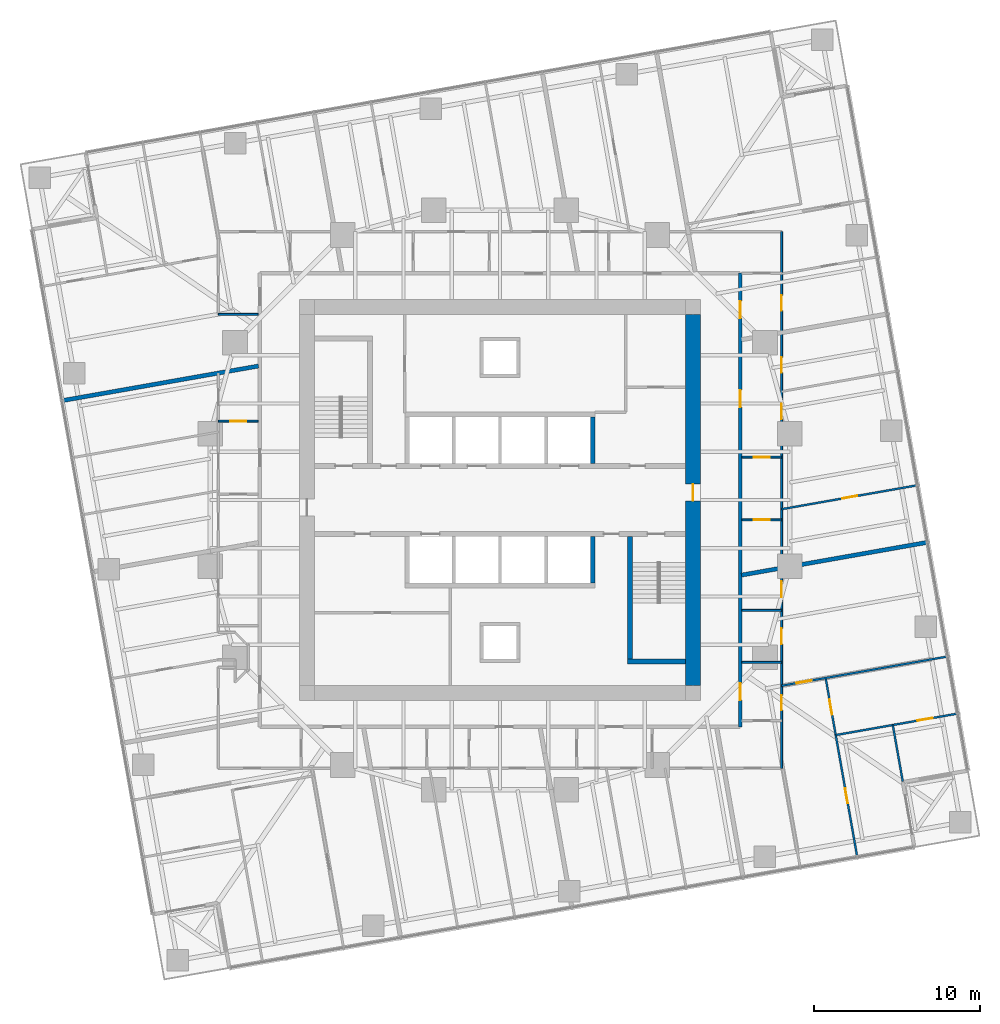
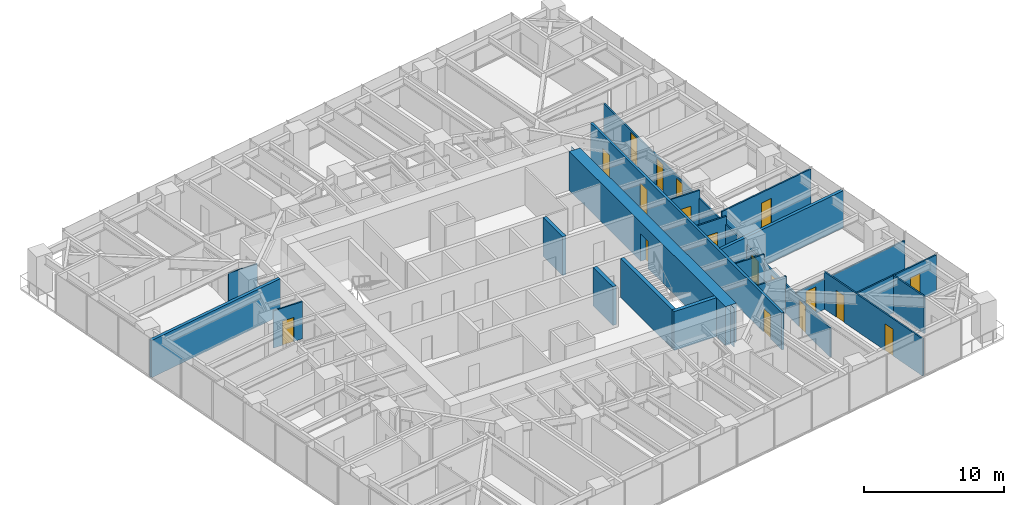
# One storey, part 11 of 14: 20 walls, 18 doors, 18 openings.
"""IFC4 building model written with IfcOpenShell, lengths in metres."""

import ifcopenshell
import ifcopenshell.guid

model = None  # the IFC model being written
_history = None  # IfcOwnerHistory: only IFC2X3 demands one
_inside = {}  # id of a spatial element -> (the spatial element, [elements in it])
_under = {}  # id of a project, library or spatial element -> (it, [spatial elements below it])
_declared = {}  # id of a project -> (the project, [libraries it declares])
_typed = {}  # id of a type object -> (the type object, [elements of that type])
_made_of = {}  # id of a material, layer set ... -> (it, [elements and type objects made of it])


def new_model(schema):
    """Start an empty IFC model of exactly this schema.

    Asked for "IFC4X3", IfcOpenShell would pick the latest addendum, in which some entities
    have other attributes; the version numbers below select the first issue.
    IFC2X3 requires an IfcOwnerHistory on every rooted entity: one is made here for all.
    """
    global model, _history
    if schema == "IFC4X3":
        model = ifcopenshell.file(schema_version=(4, 3, 0, 0))
    else:
        model = ifcopenshell.file(schema=schema)
    _inside.clear()
    _under.clear()
    _declared.clear()
    _typed.clear()
    _made_of.clear()
    _history = None
    if model.schema == "IFC2X3":
        org = make("IfcOrganization", Name="unknown")
        user = make(
            "IfcPersonAndOrganization",
            ThePerson=make("IfcPerson", FamilyName="unknown"),
            TheOrganization=org,
        )
        app = make(
            "IfcApplication",
            ApplicationDeveloper=org,
            Version="unknown",
            ApplicationFullName="unknown",
            ApplicationIdentifier="unknown",
        )
        _history = make(
            "IfcOwnerHistory",
            OwningUser=user,
            OwningApplication=app,
            ChangeAction="ADDED",
            CreationDate=0,
        )
    return model


def make(cls, **values):
    """One entity of the class cls with the attributes given. An attribute that is None is left unset."""
    return model.create_entity(
        cls, **{name: value for name, value in values.items() if value is not None}
    )


def rooted(cls, **values):
    """An entity with a GlobalId (a new one), such as an element, a storey or a relation."""
    return make(cls, GlobalId=ifcopenshell.guid.new(), OwnerHistory=_history, **values)


def si_unit(unit_type, name, prefix=None):
    """IfcSIUnit, for example si_unit("LENGTHUNIT", "METRE", prefix="MILLI")."""
    return make("IfcSIUnit", UnitType=unit_type, Prefix=prefix, Name=name)


def assignment(units):
    """IfcUnitAssignment: the units of a project."""
    return None if units is None else make("IfcUnitAssignment", Units=units)


def point(xyz):
    """IfcCartesianPoint."""
    return None if xyz is None else make("IfcCartesianPoint", Coordinates=xyz)


def direction(xyz):
    """IfcDirection."""
    return None if xyz is None else make("IfcDirection", DirectionRatios=xyz)


def frame(location, z_axis=None, x_axis=None):
    """IfcAxis2Placement3D, a coordinate frame: its origin and axes. An axis left out is left unset."""
    return make(
        "IfcAxis2Placement3D",
        Location=point(location),
        Axis=direction(z_axis),
        RefDirection=direction(x_axis),
    )


def frame_2d(location, x_axis=None):
    """IfcAxis2Placement2D, a coordinate frame in the plane: its origin and x axis."""
    return make(
        "IfcAxis2Placement2D", Location=point(location), RefDirection=direction(x_axis)
    )


def origin():
    """The frame at (0, 0, 0) with its axes left unset."""
    return frame((0.0, 0.0, 0.0))


def place(relative_to, where):
    """IfcLocalPlacement: puts the frame where relative to a parent placement (None: the world)."""
    return make(
        "IfcLocalPlacement", PlacementRelTo=relative_to, RelativePlacement=where
    )


def context(
    kind, dimensions, precision=None, world=None, true_north=None, identifier=None
):
    """IfcGeometricRepresentationContext, for example the 3D "Model" context."""
    return make(
        "IfcGeometricRepresentationContext",
        ContextIdentifier=identifier,
        ContextType=kind,
        CoordinateSpaceDimension=dimensions,
        Precision=precision,
        WorldCoordinateSystem=world,
        TrueNorth=true_north,
    )


def subcontext(parent, identifier, kind, view, scale=None):
    """IfcGeometricRepresentationSubContext, for example "Body" below "Model"."""
    return make(
        "IfcGeometricRepresentationSubContext",
        ContextIdentifier=identifier,
        ContextType=kind,
        ParentContext=parent,
        TargetScale=scale,
        TargetView=view,
    )


def project(units=None, contexts=None):
    """IfcProject with its units and contexts."""
    return rooted(
        "IfcProject",
        Name="project",
        RepresentationContexts=contexts,
        UnitsInContext=assignment(units),
    )


def spatial(cls, under=None, at=None, **own):
    """A site, building, storey or space (cls), placed at a placement, below another one or the project."""
    s = rooted(cls, ObjectPlacement=at, **own)
    if under is not None:
        _under.setdefault(under.id(), (under, []))[1].append(s)
    return s


def polyline(points):
    """IfcPolyline through the points."""
    return make("IfcPolyline", Points=[point(p) for p in points])


def profile(cls, at=None, kind="AREA", **sizes):
    """A parametric profile (cls). Its sizes go by their IFC names, for example OverallWidth=200.0."""
    return make(cls, ProfileType=kind, Position=at, **sizes)


def rectangle(**sizes):
    """IfcRectangleProfileDef."""
    return profile("IfcRectangleProfileDef", **sizes)


def outline(outer, holes=None, kind="AREA"):
    """IfcArbitraryClosedProfileDef: a profile drawn as a closed curve; with holes, ...WithVoids."""
    if holes is None:
        return make("IfcArbitraryClosedProfileDef", ProfileType=kind, OuterCurve=outer)
    return make(
        "IfcArbitraryProfileDefWithVoids",
        ProfileType=kind,
        OuterCurve=outer,
        InnerCurves=holes,
    )


def extrude(swept, where, along, depth):
    """IfcExtrudedAreaSolid: the profile swept, set in the frame where, extruded along a direction by depth."""
    return make(
        "IfcExtrudedAreaSolid",
        SweptArea=swept,
        Position=where,
        ExtrudedDirection=direction(along),
        Depth=depth,
    )


def shape(context_of_items, identifier, shape_type, items):
    """IfcShapeRepresentation: the items that make up one representation, for example the "Body"."""
    return make(
        "IfcShapeRepresentation",
        ContextOfItems=context_of_items,
        RepresentationIdentifier=identifier,
        RepresentationType=shape_type,
        Items=items,
    )


def material(Name=None, Category=None):
    """IfcMaterial."""
    return make("IfcMaterial", Name=Name, Category=Category)


def layer(
    of_material, thickness, ventilated=None, Name=None, Category=None, Priority=None
):
    """IfcMaterialLayer: one layer of a wall or slab, of a material (None: an air gap)."""
    return make(
        "IfcMaterialLayer",
        Material=of_material,
        LayerThickness=thickness,
        IsVentilated=ventilated,
        Name=Name,
        Category=Category,
        Priority=Priority,
    )


def layer_set(layers, Name=None):
    """IfcMaterialLayerSet."""
    return make("IfcMaterialLayerSet", MaterialLayers=layers, LayerSetName=Name)


def made_of(thing, what):
    """Note that an element or type object is made of a material, layer set ...; save() writes the relation."""
    if what is not None:
        _made_of.setdefault(what.id(), (what, []))[1].append(thing)
    return thing


def type_object(cls, material=None, **own):
    """A type object (cls), such as IfcWallType, which elements share."""
    return made_of(rooted(cls, **own), material)


def element(
    cls,
    number,
    at=None,
    inside=None,
    cuts=None,
    type_object=None,
    material=None,
    context=None,
    identifier="Body",
    shape_type=None,
    held_by="IfcProductDefinitionShape",
    body=None,
    shapes=None,
    **own,
):
    """One element of the class cls, such as IfcWall. Its Tag is "e" and its number.

    at: its placement. inside: the storey or other place that contains it. cuts: it is an
    opening in that element (IfcRelVoidsElement). A single representation is given by context,
    identifier, shape_type and body (its items); several are given by shapes. held_by: the class
    of the entity that holds the representations. save() writes the other relations.
    """
    e = rooted(cls, Tag="e%d" % number, ObjectPlacement=at, **own)
    if body is not None:
        shapes = [shape(context, identifier, shape_type, body)]
    if shapes is not None:
        e.Representation = make(held_by, Representations=shapes)
    if inside is not None:
        _inside.setdefault(inside.id(), (inside, []))[1].append(e)
    if cuts is not None:
        rooted(
            "IfcRelVoidsElement", RelatingBuildingElement=cuts, RelatedOpeningElement=e
        )
    if type_object is not None:
        _typed.setdefault(type_object.id(), (type_object, []))[1].append(e)
    return made_of(e, material)


def fill(opening, filler):
    """IfcRelFillsElement: the door or window that sits in an opening."""
    return rooted(
        "IfcRelFillsElement",
        RelatingOpeningElement=opening,
        RelatedBuildingElement=filler,
    )


def aggregate(whole, parts):
    """IfcRelAggregates: a whole, such as a stair, and the parts it consists of."""
    return rooted("IfcRelAggregates", RelatingObject=whole, RelatedObjects=parts)


def save(model, path):
    """Write the relations noted so far, then the file.

    IfcRelAggregates (storeys below a building ...), IfcRelContainedInSpatialStructure (elements
    in a storey), IfcRelDefinesByType, IfcRelAssociatesMaterial and IfcRelDeclares: one each for
    every whole, place, type object, material and project.
    """
    for whole, parts in _under.values():
        aggregate(whole, parts)
    for where, things in _inside.values():
        rooted(
            "IfcRelContainedInSpatialStructure",
            RelatedElements=things,
            RelatingStructure=where,
        )
    for kind, things in _typed.values():
        rooted("IfcRelDefinesByType", RelatedObjects=things, RelatingType=kind)
    for what, things in _made_of.values():
        rooted("IfcRelAssociatesMaterial", RelatedObjects=things, RelatingMaterial=what)
    for by, libraries in _declared.values():
        rooted("IfcRelDeclares", RelatingContext=by, RelatedDefinitions=libraries)
    model.write(path)


model = new_model("IFC4")

# Units and contexts
model_context = context("Model", 3, precision=1e-05, world=origin(), true_north=direction((0.0, 1.0)))
body_context = subcontext(model_context, "Body", "Model", "MODEL_VIEW")
ifc_project = project(units=[si_unit("LENGTHUNIT", "METRE"), si_unit("AREAUNIT", "SQUARE_METRE"), si_unit("VOLUMEUNIT", "CUBIC_METRE"), si_unit("PLANEANGLEUNIT", "RADIAN"), si_unit("MASSUNIT", "GRAM", prefix="KILO")], contexts=[model_context])

# Site, building, storey
site_placement = place(None, origin())
site = spatial("IfcSite", under=ifc_project, at=site_placement, CompositionType="ELEMENT")
building_placement = place(site_placement, origin())
building = spatial("IfcBuilding", under=site, at=building_placement, Name="Torsade Residences", CompositionType="ELEMENT")
storey_placement = place(building_placement, frame((0.0, 0.0, 93.0)))
storey = spatial("IfcBuildingStorey", under=building, at=storey_placement, Name="L25", CompositionType="ELEMENT", Elevation=93.0)

# Walls
ifc_material_1 = material(Name="Concrete 80 MPa", Category="concrete")
ifc_layer_1 = layer(ifc_material_1, 0.300048828125)
ifc_layer_set_1 = layer_set([ifc_layer_1], Name="Concrete 80 MPa")
wall_type_1 = type_object("IfcWallType", Name="CORE INTERNAL WALL 300", PredefinedType="SHEAR", material=ifc_layer_set_1)
for number, where, z_axis, x_axis, name in (
    (1, (45.60009765625, 27.800048828125, 0.0), (0.0, 0.0, 1.0), (0.0, -1.0, 0.0), "Core wall DS0 L25"),
    (2, (45.60009765625, 32.199951171875, 0.0), (0.0, 0.0, 1.0), (0.0, 1.0, 0.0), "Core wall DN4 L25"),
):
    element("IfcWall", number, at=place(storey_placement, frame(where, z_axis=z_axis, x_axis=x_axis)), inside=storey, type_object=wall_type_1, Name=name, PredefinedType="SHEAR", context=body_context, shape_type="SweptSolid", body=[
        extrude(rectangle(XDim=2.800048828125, YDim=0.300048828125, at=frame_2d((1.39990234375, 0.0))), origin(), (0.0, 0.0, 1.0), 3.39990234375),
    ])
wall_1_placement = place(storey_placement, frame((47.85009765625, 27.800048828125, 0.0), z_axis=(0.0, 0.0, 1.0), x_axis=(0.0, -1.0, 0.0)))
element("IfcWall", 3, at=wall_1_placement, inside=storey, type_object=wall_type_1, Name="Core wall ST2W L25", PredefinedType="SHEAR", context=body_context, shape_type="SweptSolid", body=[
    extrude(rectangle(XDim=7.699951171875, YDim=0.300048828125, at=frame_2d((3.85009765625, 0.0))), origin(), (0.0, 0.0, 1.0), 3.39990234375),
])
wall_2_placement = place(storey_placement, frame((51.199951171875, 20.25, 0.0), z_axis=(0.0, 0.0, 1.0), x_axis=(-1.0, 0.0, 0.0)))
element("IfcWall", 4, at=wall_2_placement, inside=storey, type_object=wall_type_1, Name="Core wall ST2S L25", PredefinedType="SHEAR", context=body_context, shape_type="SweptSolid", body=[
    extrude(rectangle(XDim=3.5, YDim=0.300048828125, at=frame_2d((1.75, 0.0))), origin(), (0.0, 0.0, 1.0), 3.39990234375),
])

# Wall, opening, door
ifc_material_2 = material(Name="Concrete 80 MPa", Category="concrete")
ifc_layer_2 = layer(ifc_material_2, 0.89990234375)
ifc_layer_set_2 = layer_set([ifc_layer_2], Name="Concrete 80 MPa")
wall_type_2 = type_object("IfcWallType", Name="CORE WALL 900", PredefinedType="SHEAR", material=ifc_layer_set_2)
wall_3_placement = place(storey_placement, frame((51.64990234375, 18.800048828125, 0.0), z_axis=(0.0, 0.0, 1.0), x_axis=(0.0, 1.0, 0.0)))
wall_3 = element("IfcWall", 5, at=wall_3_placement, inside=storey, type_object=wall_type_2, Name="Core wall E L25", PredefinedType="SHEAR", context=body_context, shape_type="SweptSolid", body=[
    extrude(outline(polyline([(0.0, -0.449951171875), (22.39990234375, -0.449951171875), (22.39990234375, -0.02490234375), (22.849853515625, -0.02490234375), (22.849853515625, 0.02490234375), (22.39990234375, 0.02490234375), (22.39990234375, 0.449951171875), (0.0, 0.449951171875), (0.0, 0.02490234375), (-0.449951171875, 0.02490234375), (-0.449951171875, -0.02490234375), (0.0, -0.02490234375), (0.0, -0.449951171875)])), origin(), (0.0, 0.0, 1.0), 3.39990234375),
])
opening_1_placement = place(wall_3_placement, frame((11.139892578125, 0.0, 0.0)))
opening_1 = element("IfcOpeningElement", 6, at=opening_1_placement, cuts=wall_3, Name="Opening D04", PredefinedType="OPENING", context=body_context, shape_type="SweptSolid", body=[
    extrude(rectangle(XDim=1.02001953125, YDim=2.39990234375, at=frame_2d((0.510009765625, 1.199951171875))), frame((0.0, 0.4599609375, 0.0), z_axis=(0.0, -1.0, 0.0), x_axis=(1.0, 0.0, 0.0)), (0.0, 0.0, 1.0), 0.919921875),
])
ifc_material_3 = material(Name="Steel-framed fire door", Category="steel")
door_type_1 = type_object("IfcDoorType", Name="LOBBY SMOKE DOOR 1020x2400", OperationType="NOTDEFINED", PredefinedType="DOOR", material=ifc_material_3)
door_1_placement = place(opening_1_placement, origin())
door_1 = element("IfcDoor", 7, at=door_1_placement, inside=storey, type_object=door_type_1, Name="Lift lobby door E L25", OperationType="SINGLE_SWING_LEFT", OverallHeight=2.39990234375, OverallWidth=1.02001953125, PredefinedType="DOOR", context=body_context, shape_type="SweptSolid", body=[
    extrude(rectangle(XDim=1.02001953125, YDim=2.39990234375, at=frame_2d((0.510009765625, 1.199951171875))), frame((0.0, 0.02490234375, 0.0), z_axis=(0.0, -1.0, 0.0), x_axis=(1.0, 0.0, 0.0)), (0.0, 0.0, 1.0), 0.050048828125),
])
fill(opening_1, door_1)

# Wall, openings, doors
ifc_material_4 = material(Name="Plasterboard on steel stud", Category="steel")
ifc_layer_3 = layer(ifc_material_4, 0.199951171875)
ifc_layer_set_3 = layer_set([ifc_layer_3], Name="Plasterboard on steel stud")
wall_type_3 = type_object("IfcWallType", Name="CORRIDOR WALL 200", PredefinedType="PARTITIONING", material=ifc_layer_set_3)
wall_4_placement = place(storey_placement, frame((54.5, 16.300048828125, 0.0), z_axis=(0.0, 0.0, 1.0), x_axis=(0.0, 1.0, 0.0)))
wall_4 = element("IfcWall", 8, at=wall_4_placement, inside=storey, type_object=wall_type_3, Name="Corridor wall L25", PredefinedType="PARTITIONING", context=body_context, shape_type="SweptSolid", body=[
    extrude(rectangle(XDim=27.39990234375, YDim=0.199951171875, at=frame_2d((13.699951171875, 0.0))), origin(), (0.0, 0.0, 1.0), 3.25),
])
opening_2_placement = place(wall_4_placement, frame((19.307861328125, 0.0, 0.0)))
opening_2 = element("IfcOpeningElement", 9, at=opening_2_placement, cuts=wall_4, Name="Opening D01", PredefinedType="OPENING", context=body_context, shape_type="SweptSolid", body=[
    extrude(rectangle(XDim=1.02001953125, YDim=2.340087890625, at=frame_2d((0.510009765625, 1.169921875))), frame((0.0, 0.10986328125, 0.0), z_axis=(0.0, -1.0, 0.0), x_axis=(1.0, 0.0, 0.0)), (0.0, 0.0, 1.0), 0.219970703125),
])
opening_3_placement = place(wall_4_placement, frame((24.6865234375, 0.0, 0.0)))
opening_3 = element("IfcOpeningElement", 10, at=opening_3_placement, cuts=wall_4, Name="Opening D01L", PredefinedType="OPENING", context=body_context, shape_type="SweptSolid", body=[
    extrude(rectangle(XDim=1.02001953125, YDim=2.10009765625, at=frame_2d((0.510009765625, 1.050048828125))), frame((0.0, 0.10986328125, 0.0), z_axis=(0.0, -1.0, 0.0), x_axis=(1.0, 0.0, 0.0)), (0.0, 0.0, 1.0), 0.219970703125),
])
opening_4_placement = place(wall_4_placement, frame((1.62158203125, 0.0, 0.0)))
opening_4 = element("IfcOpeningElement", 11, at=opening_4_placement, cuts=wall_4, Name="Opening D01L", PredefinedType="OPENING", context=body_context, shape_type="SweptSolid", body=[
    extrude(rectangle(XDim=1.02001953125, YDim=2.10009765625, at=frame_2d((0.510009765625, 1.050048828125))), frame((0.0, 0.10986328125, 0.0), z_axis=(0.0, -1.0, 0.0), x_axis=(1.0, 0.0, 0.0)), (0.0, 0.0, 1.0), 0.219970703125),
])
ifc_material_5 = material(Name="Solid-core timber fire door", Category="wood")
door_type_2 = type_object("IfcDoorType", Name="APARTMENT ENTRY DOOR 1020x2100", OperationType="NOTDEFINED", PredefinedType="DOOR", material=ifc_material_5)
door_2_placement = place(opening_3_placement, origin())
door_2 = element("IfcDoor", 12, at=door_2_placement, inside=storey, type_object=door_type_2, Name="Door Residential corridor to Kitchen and dining", OperationType="SINGLE_SWING_RIGHT", OverallHeight=2.10009765625, OverallWidth=1.02001953125, PredefinedType="DOOR", context=body_context, shape_type="SweptSolid", body=[
    extrude(rectangle(XDim=1.02001953125, YDim=2.10009765625, at=frame_2d((0.510009765625, 1.050048828125))), frame((0.0, 0.02490234375, 0.0), z_axis=(0.0, -1.0, 0.0), x_axis=(1.0, 0.0, 0.0)), (0.0, 0.0, 1.0), 0.050048828125),
])
fill(opening_3, door_2)
door_3_placement = place(opening_4_placement, origin())
door_3 = element("IfcDoor", 13, at=door_3_placement, inside=storey, type_object=door_type_2, Name="Door Residential corridor to Kitchen and dining", OperationType="SINGLE_SWING_LEFT", OverallHeight=2.10009765625, OverallWidth=1.02001953125, PredefinedType="DOOR", context=body_context, shape_type="SweptSolid", body=[
    extrude(rectangle(XDim=1.02001953125, YDim=2.10009765625, at=frame_2d((0.510009765625, 1.050048828125))), frame((0.0, 0.02490234375, 0.0), z_axis=(0.0, -1.0, 0.0), x_axis=(1.0, 0.0, 0.0)), (0.0, 0.0, 1.0), 0.050048828125),
])
fill(opening_4, door_3)
ifc_material_6 = material(Name="Solid-core timber fire door", Category="wood")
door_type_3 = type_object("IfcDoorType", Name="APARTMENT ENTRY DOOR 1020x2340", OperationType="NOTDEFINED", PredefinedType="DOOR", material=ifc_material_6)
door_4_placement = place(opening_2_placement, origin())
door_4 = element("IfcDoor", 14, at=door_4_placement, inside=storey, type_object=door_type_3, Name="Door Residential corridor to Kitchen and dining", OperationType="SINGLE_SWING_LEFT", OverallHeight=2.340087890625, OverallWidth=1.02001953125, PredefinedType="DOOR", context=body_context, shape_type="SweptSolid", body=[
    extrude(rectangle(XDim=1.02001953125, YDim=2.340087890625, at=frame_2d((0.510009765625, 1.169921875))), frame((0.0, 0.02490234375, 0.0), z_axis=(0.0, -1.0, 0.0), x_axis=(1.0, 0.0, 0.0)), (0.0, 0.0, 1.0), 0.050048828125),
])
fill(opening_2, door_4)

# Wall
ifc_material_7 = material(Name="Plasterboard on steel stud", Category="steel")
ifc_layer_4 = layer(ifc_material_7, 0.1201171875)
ifc_layer_set_4 = layer_set([ifc_layer_4], Name="Plasterboard on steel stud")
wall_type_4 = type_object("IfcWallType", Name="PARTITION 120", PredefinedType="PARTITIONING", material=ifc_layer_set_4)
wall_5_placement = place(storey_placement, frame((54.60009765625, 20.19189453125, 0.0), z_axis=(0.0, 0.0, 1.0), x_axis=(1.0, 0.0, 0.0)))
element("IfcWall", 15, at=wall_5_placement, inside=storey, type_object=wall_type_4, Name="Partition L25", PredefinedType="PARTITIONING", context=body_context, shape_type="SweptSolid", body=[
    extrude(rectangle(XDim=2.39990234375, YDim=0.1201171875, at=frame_2d((1.199951171875, 0.0))), origin(), (0.0, 0.0, 1.0), 3.25),
])

# Wall, openings, doors
wall_6_placement = place(storey_placement, frame((57.0, 46.199951171875, 0.0), z_axis=(0.0, 0.0, 1.0), x_axis=(0.0, -1.0, 0.0)))
wall_6 = element("IfcWall", 16, at=wall_6_placement, inside=storey, type_object=wall_type_4, Name="Partition L25", PredefinedType="PARTITIONING", context=body_context, shape_type="SweptSolid", body=[
    extrude(rectangle(XDim=32.39990234375, YDim=0.1201171875, at=frame_2d((16.199951171875, 0.0))), origin(), (0.0, 0.0, 1.0), 2.550048828125),
])
opening_5_placement = place(wall_6_placement, frame((10.396484375, 0.0, 0.0)))
opening_5 = element("IfcOpeningElement", 17, at=opening_5_placement, cuts=wall_6, Name="Opening D02", PredefinedType="OPENING", context=body_context, shape_type="SweptSolid", body=[
    extrude(rectangle(XDim=0.919921875, YDim=2.340087890625, at=frame_2d((0.4599609375, 1.169921875))), frame((0.0, 0.070068359375, 0.0), z_axis=(0.0, -1.0, 0.0), x_axis=(1.0, 0.0, 0.0)), (0.0, 0.0, 1.0), 0.14013671875),
])
opening_6_placement = place(wall_6_placement, frame((7.5869140625, 0.0, 0.0)))
opening_6 = element("IfcOpeningElement", 18, at=opening_6_placement, cuts=wall_6, Name="Opening D02", PredefinedType="OPENING", context=body_context, shape_type="SweptSolid", body=[
    extrude(rectangle(XDim=0.919921875, YDim=2.340087890625, at=frame_2d((0.4599609375, 1.169921875))), frame((0.0, 0.070068359375, 0.0), z_axis=(0.0, -1.0, 0.0), x_axis=(1.0, 0.0, 0.0)), (0.0, 0.0, 1.0), 0.14013671875),
])
opening_7_placement = place(wall_6_placement, frame((3.8427734375, 0.0, 0.0)))
opening_7 = element("IfcOpeningElement", 19, at=opening_7_placement, cuts=wall_6, Name="Opening D02", PredefinedType="OPENING", context=body_context, shape_type="SweptSolid", body=[
    extrude(rectangle(XDim=0.919921875, YDim=2.340087890625, at=frame_2d((0.4599609375, 1.169921875))), frame((0.0, 0.070068359375, 0.0), z_axis=(0.0, -1.0, 0.0), x_axis=(1.0, 0.0, 0.0)), (0.0, 0.0, 1.0), 0.14013671875),
])
opening_8_placement = place(wall_6_placement, frame((27.98828125, 0.0, 0.0)))
opening_8 = element("IfcOpeningElement", 20, at=opening_8_placement, cuts=wall_6, Name="Opening D02", PredefinedType="OPENING", context=body_context, shape_type="SweptSolid", body=[
    extrude(rectangle(XDim=0.919921875, YDim=2.340087890625, at=frame_2d((0.4599609375, 1.169921875))), frame((0.0, 0.070068359375, 0.0), z_axis=(0.0, -1.0, 0.0), x_axis=(1.0, 0.0, 0.0)), (0.0, 0.0, 1.0), 0.14013671875),
])
opening_9_placement = place(wall_6_placement, frame((23.956787109375, 0.0, 0.0)))
opening_9 = element("IfcOpeningElement", 21, at=opening_9_placement, cuts=wall_6, Name="Opening D05", PredefinedType="OPENING", context=body_context, shape_type="SweptSolid", body=[
    extrude(rectangle(XDim=0.9599609375, YDim=2.10009765625, at=frame_2d((0.47998046875, 1.050048828125))), frame((0.0, 0.070068359375, 0.0), z_axis=(0.0, -1.0, 0.0), x_axis=(1.0, 0.0, 0.0)), (0.0, 0.0, 1.0), 0.14013671875),
])
opening_10_placement = place(wall_6_placement, frame((21.10791015625, 0.0, 0.0)))
opening_10 = element("IfcOpeningElement", 22, at=opening_10_placement, cuts=wall_6, Name="Opening D05", PredefinedType="OPENING", context=body_context, shape_type="SweptSolid", body=[
    extrude(rectangle(XDim=0.9599609375, YDim=2.10009765625, at=frame_2d((0.47998046875, 1.050048828125))), frame((0.0, 0.070068359375, 0.0), z_axis=(0.0, -1.0, 0.0), x_axis=(1.0, 0.0, 0.0)), (0.0, 0.0, 1.0), 0.14013671875),
])
ifc_material_8 = material(Name="Hollow-core timber door in a steel cavity frame", Category="steel")
door_type_4 = type_object("IfcDoorType", Name="BATHROOM CAVITY SLIDING DOOR 960", OperationType="SLIDING_TO_LEFT", PredefinedType="DOOR", material=ifc_material_8)
door_5_placement = place(opening_9_placement, origin())
door_5 = element("IfcDoor", 23, at=door_5_placement, inside=storey, type_object=door_type_4, Name="Door Living room to Bathroom", OperationType="SLIDING_TO_LEFT", OverallHeight=2.10009765625, OverallWidth=0.9599609375, PredefinedType="DOOR", context=body_context, shape_type="SweptSolid", body=[
    extrude(rectangle(XDim=0.9599609375, YDim=2.10009765625, at=frame_2d((0.47998046875, 1.050048828125))), frame((0.0, 0.02490234375, 0.0), z_axis=(0.0, -1.0, 0.0), x_axis=(1.0, 0.0, 0.0)), (0.0, 0.0, 1.0), 0.050048828125),
])
fill(opening_9, door_5)
door_6_placement = place(opening_10_placement, origin())
door_6 = element("IfcDoor", 24, at=door_6_placement, inside=storey, type_object=door_type_4, Name="Door Living room to Ensuite", OperationType="SLIDING_TO_LEFT", OverallHeight=2.10009765625, OverallWidth=0.9599609375, PredefinedType="DOOR", context=body_context, shape_type="SweptSolid", body=[
    extrude(rectangle(XDim=0.9599609375, YDim=2.10009765625, at=frame_2d((0.47998046875, 1.050048828125))), frame((0.0, 0.02490234375, 0.0), z_axis=(0.0, -1.0, 0.0), x_axis=(1.0, 0.0, 0.0)), (0.0, 0.0, 1.0), 0.050048828125),
])
fill(opening_10, door_6)
ifc_material_9 = material(Name="Hollow-core timber door", Category="wood")
door_type_5 = type_object("IfcDoorType", Name="INTERNAL DOOR 920x2340", OperationType="NOTDEFINED", PredefinedType="DOOR", material=ifc_material_9)
door_7_placement = place(opening_5_placement, origin())
door_7 = element("IfcDoor", 25, at=door_7_placement, inside=storey, type_object=door_type_5, Name="Door Kitchen and dining to Living room", OperationType="SINGLE_SWING_RIGHT", OverallHeight=2.340087890625, OverallWidth=0.919921875, PredefinedType="DOOR", context=body_context, shape_type="SweptSolid", body=[
    extrude(rectangle(XDim=0.919921875, YDim=2.340087890625, at=frame_2d((0.4599609375, 1.169921875))), frame((0.0, 0.02490234375, 0.0), z_axis=(0.0, -1.0, 0.0), x_axis=(1.0, 0.0, 0.0)), (0.0, 0.0, 1.0), 0.050048828125),
])
fill(opening_5, door_7)
door_8_placement = place(opening_6_placement, origin())
door_8 = element("IfcDoor", 26, at=door_8_placement, inside=storey, type_object=door_type_5, Name="Door Kitchen and dining to Bedroom 2", OperationType="SINGLE_SWING_RIGHT", OverallHeight=2.340087890625, OverallWidth=0.919921875, PredefinedType="DOOR", context=body_context, shape_type="SweptSolid", body=[
    extrude(rectangle(XDim=0.919921875, YDim=2.340087890625, at=frame_2d((0.4599609375, 1.169921875))), frame((0.0, 0.02490234375, 0.0), z_axis=(0.0, -1.0, 0.0), x_axis=(1.0, 0.0, 0.0)), (0.0, 0.0, 1.0), 0.050048828125),
])
fill(opening_6, door_8)
door_9_placement = place(opening_7_placement, origin())
door_9 = element("IfcDoor", 27, at=door_9_placement, inside=storey, type_object=door_type_5, Name="Door Kitchen and dining to Study", OperationType="SINGLE_SWING_RIGHT", OverallHeight=2.340087890625, OverallWidth=0.919921875, PredefinedType="DOOR", context=body_context, shape_type="SweptSolid", body=[
    extrude(rectangle(XDim=0.919921875, YDim=2.340087890625, at=frame_2d((0.4599609375, 1.169921875))), frame((0.0, 0.02490234375, 0.0), z_axis=(0.0, -1.0, 0.0), x_axis=(1.0, 0.0, 0.0)), (0.0, 0.0, 1.0), 0.050048828125),
])
fill(opening_7, door_9)
door_10_placement = place(opening_8_placement, origin())
door_10 = element("IfcDoor", 28, at=door_10_placement, inside=storey, type_object=door_type_5, Name="Door Kitchen and dining to Bedroom 1", OperationType="SINGLE_SWING_LEFT", OverallHeight=2.340087890625, OverallWidth=0.919921875, PredefinedType="DOOR", context=body_context, shape_type="SweptSolid", body=[
    extrude(rectangle(XDim=0.919921875, YDim=2.340087890625, at=frame_2d((0.4599609375, 1.169921875))), frame((0.0, 0.02490234375, 0.0), z_axis=(0.0, -1.0, 0.0), x_axis=(1.0, 0.0, 0.0)), (0.0, 0.0, 1.0), 0.050048828125),
])
fill(opening_8, door_10)

# Wall
wall_7_placement = place(storey_placement, frame((54.60009765625, 23.334716796875, 0.0), z_axis=(0.0, 0.0, 1.0), x_axis=(1.0, 0.0, 0.0)))
element("IfcWall", 29, at=wall_7_placement, inside=storey, type_object=wall_type_4, Name="Partition L25", PredefinedType="PARTITIONING", context=body_context, shape_type="SweptSolid", body=[
    extrude(rectangle(XDim=2.39990234375, YDim=0.1201171875, at=frame_2d((1.199951171875, 0.0))), origin(), (0.0, 0.0, 1.0), 3.25),
])

# Wall, opening, door
wall_8_placement = place(storey_placement, frame((67.011962890625, 20.546875, 0.0), z_axis=(0.0, 0.0, 1.0), x_axis=(-0.984807724889, -0.173648337162, 0.0)))
wall_8 = element("IfcWall", 30, at=wall_8_placement, inside=storey, type_object=wall_type_4, Name="Partition L25", PredefinedType="PARTITIONING", context=body_context, shape_type="SweptSolid", body=[
    extrude(rectangle(XDim=10.16650390625, YDim=0.1201171875, at=frame_2d((5.083251953125, 0.0))), origin(), (0.0, 0.0, 1.0), 2.637939453125),
])
opening_11_placement = place(wall_8_placement, frame((8.328125, 0.0, 0.0)))
opening_11 = element("IfcOpeningElement", 31, at=opening_11_placement, cuts=wall_8, Name="Opening D02", PredefinedType="OPENING", context=body_context, shape_type="SweptSolid", body=[
    extrude(rectangle(XDim=0.919921875, YDim=2.340087890625, at=frame_2d((0.4599609375, 1.169921875))), frame((0.0, 0.070068359375, 0.0), z_axis=(0.0, -1.0, 0.0), x_axis=(1.0, 0.0, 0.0)), (0.0, 0.0, 1.0), 0.14013671875),
])
door_11_placement = place(opening_11_placement, origin())
door_11 = element("IfcDoor", 32, at=door_11_placement, inside=storey, type_object=door_type_5, Name="Door Bedroom 1 to Living room", OperationType="SINGLE_SWING_LEFT", OverallHeight=2.340087890625, OverallWidth=0.919921875, PredefinedType="DOOR", context=body_context, shape_type="SweptSolid", body=[
    extrude(rectangle(XDim=0.919921875, YDim=2.340087890625, at=frame_2d((0.4599609375, 1.169921875))), frame((0.0, 0.02490234375, 0.0), z_axis=(0.0, -1.0, 0.0), x_axis=(1.0, 0.0, 0.0)), (0.0, 0.0, 1.0), 0.050048828125),
])
fill(opening_11, door_11)

# Wall, openings, doors
wall_9_placement = place(storey_placement, frame((59.665283203125, 19.25146484375, 0.0), z_axis=(0.0, 0.0, 1.0), x_axis=(0.173639194339, -0.984809336973, 0.0)))
wall_9 = element("IfcWall", 33, at=wall_9_placement, inside=storey, type_object=wall_type_4, Name="Partition L25", PredefinedType="PARTITIONING", context=body_context, shape_type="SweptSolid", body=[
    extrude(rectangle(XDim=10.9599609375, YDim=0.1201171875, at=frame_2d((5.47998046875, 0.0))), origin(), (0.0, 0.0, 1.0), 3.25),
])
opening_12_placement = place(wall_9_placement, frame((6.764892578125, 0.0, 0.0)))
opening_12 = element("IfcOpeningElement", 34, at=opening_12_placement, cuts=wall_9, Name="Opening D02", PredefinedType="OPENING", context=body_context, shape_type="SweptSolid", body=[
    extrude(rectangle(XDim=0.919921875, YDim=2.340087890625, at=frame_2d((0.4599609375, 1.169921875))), frame((0.0, 0.070068359375, 0.0), z_axis=(0.0, -1.0, 0.0), x_axis=(1.0, 0.0, 0.0)), (0.0, 0.0, 1.0), 0.14013671875),
])
opening_13_placement = place(wall_9_placement, frame((1.31494140625, 0.0, 0.0)))
opening_13 = element("IfcOpeningElement", 35, at=opening_13_placement, cuts=wall_9, Name="Opening D02", PredefinedType="OPENING", context=body_context, shape_type="SweptSolid", body=[
    extrude(rectangle(XDim=0.919921875, YDim=2.340087890625, at=frame_2d((0.4599609375, 1.169921875))), frame((0.0, 0.070068359375, 0.0), z_axis=(0.0, -1.0, 0.0), x_axis=(1.0, 0.0, 0.0)), (0.0, 0.0, 1.0), 0.14013671875),
])
door_12_placement = place(opening_12_placement, origin())
door_12 = element("IfcDoor", 36, at=door_12_placement, inside=storey, type_object=door_type_5, Name="Door Bedroom 1 to Study", OperationType="SINGLE_SWING_RIGHT", OverallHeight=2.340087890625, OverallWidth=0.919921875, PredefinedType="DOOR", context=body_context, shape_type="SweptSolid", body=[
    extrude(rectangle(XDim=0.919921875, YDim=2.340087890625, at=frame_2d((0.4599609375, 1.169921875))), frame((0.0, 0.02490234375, 0.0), z_axis=(0.0, -1.0, 0.0), x_axis=(1.0, 0.0, 0.0)), (0.0, 0.0, 1.0), 0.050048828125),
])
fill(opening_12, door_12)
door_13_placement = place(opening_13_placement, origin())
door_13 = element("IfcDoor", 37, at=door_13_placement, inside=storey, type_object=door_type_5, Name="Door Bedroom 1 to Bedroom 2", OperationType="SINGLE_SWING_RIGHT", OverallHeight=2.340087890625, OverallWidth=0.919921875, PredefinedType="DOOR", context=body_context, shape_type="SweptSolid", body=[
    extrude(rectangle(XDim=0.919921875, YDim=2.340087890625, at=frame_2d((0.4599609375, 1.169921875))), frame((0.0, 0.02490234375, 0.0), z_axis=(0.0, -1.0, 0.0), x_axis=(1.0, 0.0, 0.0)), (0.0, 0.0, 1.0), 0.050048828125),
])
fill(opening_13, door_13)

# Wall, opening, door
wall_10_placement = place(storey_placement, frame((67.61962890625, 17.10009765625, 0.0), z_axis=(0.0, 0.0, 1.0), x_axis=(-0.984807929323, -0.173647177755, 0.0)))
wall_10 = element("IfcWall", 38, at=wall_10_placement, inside=storey, type_object=wall_type_4, Name="Partition L25", PredefinedType="PARTITIONING", context=body_context, shape_type="SweptSolid", body=[
    extrude(rectangle(XDim=7.4599609375, YDim=0.1201171875, at=frame_2d((3.72998046875, 0.0))), origin(), (0.0, 0.0, 1.0), 3.25),
])
opening_14_placement = place(wall_10_placement, frame((1.525146484375, 0.0, 0.0)))
opening_14 = element("IfcOpeningElement", 39, at=opening_14_placement, cuts=wall_10, Name="Opening D02", PredefinedType="OPENING", context=body_context, shape_type="SweptSolid", body=[
    extrude(rectangle(XDim=0.919921875, YDim=2.340087890625, at=frame_2d((0.4599609375, 1.169921875))), frame((0.0, 0.070068359375, 0.0), z_axis=(0.0, -1.0, 0.0), x_axis=(1.0, 0.0, 0.0)), (0.0, 0.0, 1.0), 0.14013671875),
])
door_14_placement = place(opening_14_placement, origin())
door_14 = element("IfcDoor", 40, at=door_14_placement, inside=storey, type_object=door_type_5, Name="Door Bedroom 2 to Media room", OperationType="SINGLE_SWING_RIGHT", OverallHeight=2.340087890625, OverallWidth=0.919921875, PredefinedType="DOOR", context=body_context, shape_type="SweptSolid", body=[
    extrude(rectangle(XDim=0.919921875, YDim=2.340087890625, at=frame_2d((0.4599609375, 1.169921875))), frame((0.0, 0.02490234375, 0.0), z_axis=(0.0, -1.0, 0.0), x_axis=(1.0, 0.0, 0.0)), (0.0, 0.0, 1.0), 0.050048828125),
])
fill(opening_14, door_14)

# Wall
wall_11_placement = place(storey_placement, frame((63.7197265625, 16.412353515625, 0.0), z_axis=(0.0, 0.0, 1.0), x_axis=(0.173660541335, -0.984805572884, 0.0)))
element("IfcWall", 41, at=wall_11_placement, inside=storey, type_object=wall_type_4, Name="Partition L25", PredefinedType="PARTITIONING", context=body_context, shape_type="SweptSolid", body=[
    extrude(rectangle(XDim=3.459716796875, YDim=0.1201171875, at=frame_2d((1.72998046875, 0.0))), origin(), (0.0, 0.0, 1.0), 3.25),
])

# Wall, opening, door
wall_12_placement = place(storey_placement, frame((57.0, 32.584716796875, 0.0), z_axis=(0.0, 0.0, 1.0), x_axis=(-1.0, 0.0, 0.0)))
wall_12 = element("IfcWall", 42, at=wall_12_placement, inside=storey, type_object=wall_type_4, Name="Partition L25", PredefinedType="PARTITIONING", context=body_context, shape_type="SweptSolid", body=[
    extrude(rectangle(XDim=2.39990234375, YDim=0.1201171875, at=frame_2d((1.199951171875, 0.0))), origin(), (0.0, 0.0, 1.0), 3.25),
])
opening_15_placement = place(wall_12_placement, frame((0.719970703125, 0.0, 0.0)))
opening_15 = element("IfcOpeningElement", 43, at=opening_15_placement, cuts=wall_12, Name="Opening D05", PredefinedType="OPENING", context=body_context, shape_type="SweptSolid", body=[
    extrude(rectangle(XDim=0.9599609375, YDim=2.10009765625, at=frame_2d((0.47998046875, 1.050048828125))), frame((0.0, 0.070068359375, 0.0), z_axis=(0.0, -1.0, 0.0), x_axis=(1.0, 0.0, 0.0)), (0.0, 0.0, 1.0), 0.14013671875),
])
door_15_placement = place(opening_15_placement, origin())
door_15 = element("IfcDoor", 44, at=door_15_placement, inside=storey, type_object=door_type_4, Name="Door Kitchen and dining to Bathroom", OperationType="SLIDING_TO_LEFT", OverallHeight=2.10009765625, OverallWidth=0.9599609375, PredefinedType="DOOR", context=body_context, shape_type="SweptSolid", body=[
    extrude(rectangle(XDim=0.9599609375, YDim=2.10009765625, at=frame_2d((0.47998046875, 1.050048828125))), frame((0.0, 0.02490234375, 0.0), z_axis=(0.0, -1.0, 0.0), x_axis=(1.0, 0.0, 0.0)), (0.0, 0.0, 1.0), 0.050048828125),
])
fill(opening_15, door_15)

wall_13_placement = place(storey_placement, frame((57.0, 28.802490234375, 0.0), z_axis=(0.0, 0.0, 1.0), x_axis=(-1.0, 0.0, 0.0)))
wall_13 = element("IfcWall", 45, at=wall_13_placement, inside=storey, type_object=wall_type_4, Name="Partition L25", PredefinedType="PARTITIONING", context=body_context, shape_type="SweptSolid", body=[
    extrude(rectangle(XDim=2.39990234375, YDim=0.1201171875, at=frame_2d((1.199951171875, 0.0))), origin(), (0.0, 0.0, 1.0), 3.25),
])
opening_16_placement = place(wall_13_placement, frame((0.719970703125, 0.0, 0.0)))
opening_16 = element("IfcOpeningElement", 46, at=opening_16_placement, cuts=wall_13, Name="Opening D05", PredefinedType="OPENING", context=body_context, shape_type="SweptSolid", body=[
    extrude(rectangle(XDim=0.9599609375, YDim=2.10009765625, at=frame_2d((0.47998046875, 1.050048828125))), frame((0.0, 0.070068359375, 0.0), z_axis=(0.0, -1.0, 0.0), x_axis=(1.0, 0.0, 0.0)), (0.0, 0.0, 1.0), 0.14013671875),
])
door_16_placement = place(opening_16_placement, origin())
door_16 = element("IfcDoor", 47, at=door_16_placement, inside=storey, type_object=door_type_4, Name="Door Bathroom to Ensuite", OperationType="SLIDING_TO_LEFT", OverallHeight=2.10009765625, OverallWidth=0.9599609375, PredefinedType="DOOR", context=body_context, shape_type="SweptSolid", body=[
    extrude(rectangle(XDim=0.9599609375, YDim=2.10009765625, at=frame_2d((0.47998046875, 1.050048828125))), frame((0.0, 0.02490234375, 0.0), z_axis=(0.0, -1.0, 0.0), x_axis=(1.0, 0.0, 0.0)), (0.0, 0.0, 1.0), 0.050048828125),
])
fill(opening_16, door_16)

wall_14_placement = place(storey_placement, frame((65.1884765625, 30.887451171875, 0.0), z_axis=(0.0, 0.0, 1.0), x_axis=(-0.984807787824, -0.173647980238, 0.0)))
wall_14 = element("IfcWall", 48, at=wall_14_placement, inside=storey, type_object=wall_type_4, Name="Partition L25", PredefinedType="PARTITIONING", context=body_context, shape_type="SweptSolid", body=[
    extrude(rectangle(XDim=8.314697265625, YDim=0.1201171875, at=frame_2d((4.1572265625, 0.0))), origin(), (0.0, 0.0, 1.0), 3.25),
])
opening_17_placement = place(wall_14_placement, frame((3.677490234375, 0.0, 0.0)))
opening_17 = element("IfcOpeningElement", 49, at=opening_17_placement, cuts=wall_14, Name="Opening D02", PredefinedType="OPENING", context=body_context, shape_type="SweptSolid", body=[
    extrude(rectangle(XDim=0.919921875, YDim=2.340087890625, at=frame_2d((0.4599609375, 1.169921875))), frame((0.0, 0.070068359375, 0.0), z_axis=(0.0, -1.0, 0.0), x_axis=(1.0, 0.0, 0.0)), (0.0, 0.0, 1.0), 0.14013671875),
])
door_17_placement = place(opening_17_placement, origin())
door_17 = element("IfcDoor", 50, at=door_17_placement, inside=storey, type_object=door_type_5, Name="Door Living room to Bedroom 1", OperationType="SINGLE_SWING_LEFT", OverallHeight=2.340087890625, OverallWidth=0.919921875, PredefinedType="DOOR", context=body_context, shape_type="SweptSolid", body=[
    extrude(rectangle(XDim=0.919921875, YDim=2.340087890625, at=frame_2d((0.4599609375, 1.169921875))), frame((0.0, 0.02490234375, 0.0), z_axis=(0.0, -1.0, 0.0), x_axis=(1.0, 0.0, 0.0)), (0.0, 0.0, 1.0), 0.050048828125),
])
fill(opening_17, door_17)

# Wall
wall_15_placement = place(storey_placement, frame((25.39990234375, 41.207763671875, 0.0), z_axis=(0.0, 0.0, 1.0), x_axis=(-1.0, 0.0, 0.0)))
element("IfcWall", 51, at=wall_15_placement, inside=storey, type_object=wall_type_4, Name="Partition L25", PredefinedType="PARTITIONING", context=body_context, shape_type="SweptSolid", body=[
    extrude(rectangle(XDim=2.39990234375, YDim=0.1201171875, at=frame_2d((1.199951171875, 0.0))), origin(), (0.0, 0.0, 1.0), 2.637939453125),
])

# Wall, opening, door
wall_16_placement = place(storey_placement, frame((23.0, 34.764404296875, 0.0), z_axis=(0.0, 0.0, 1.0), x_axis=(1.0, 0.0, 0.0)))
wall_16 = element("IfcWall", 52, at=wall_16_placement, inside=storey, type_object=wall_type_4, Name="Partition L25", PredefinedType="PARTITIONING", context=body_context, shape_type="SweptSolid", body=[
    extrude(rectangle(XDim=2.39990234375, YDim=0.1201171875, at=frame_2d((1.199951171875, 0.0))), origin(), (0.0, 0.0, 1.0), 3.25),
])
opening_18_placement = place(wall_16_placement, frame((0.719970703125, 0.0, 0.0)))
opening_18 = element("IfcOpeningElement", 53, at=opening_18_placement, cuts=wall_16, Name="Opening D05", PredefinedType="OPENING", context=body_context, shape_type="SweptSolid", body=[
    extrude(rectangle(XDim=0.9599609375, YDim=2.10009765625, at=frame_2d((0.47998046875, 1.050048828125))), frame((0.0, 0.070068359375, 0.0), z_axis=(0.0, -1.0, 0.0), x_axis=(1.0, 0.0, 0.0)), (0.0, 0.0, 1.0), 0.14013671875),
])
door_18_placement = place(opening_18_placement, origin())
door_18 = element("IfcDoor", 54, at=door_18_placement, inside=storey, type_object=door_type_4, Name="Door Kitchen and dining to Bathroom", OperationType="SLIDING_TO_LEFT", OverallHeight=2.10009765625, OverallWidth=0.9599609375, PredefinedType="DOOR", context=body_context, shape_type="SweptSolid", body=[
    extrude(rectangle(XDim=0.9599609375, YDim=2.10009765625, at=frame_2d((0.47998046875, 1.050048828125))), frame((0.0, 0.02490234375, 0.0), z_axis=(0.0, -1.0, 0.0), x_axis=(1.0, 0.0, 0.0)), (0.0, 0.0, 1.0), 0.050048828125),
])
fill(opening_18, door_18)

# Walls
ifc_material_10 = material(Name="Masonry-lined stud party wall", Category="masonry")
ifc_layer_5 = layer(ifc_material_10, 0.25)
ifc_layer_set_5 = layer_set([ifc_layer_5], Name="Masonry-lined stud party wall")
wall_type_5 = type_object("IfcWallType", Name="PARTY WALL 250", PredefinedType="PARTITIONING", material=ifc_layer_set_5)
wall_17_placement = place(storey_placement, frame((65.835693359375, 27.447509765625, 0.0), z_axis=(0.0, 0.0, 1.0), x_axis=(-0.98481000304, -0.173635416642, 0.0)))
element("IfcWall", 55, at=wall_17_placement, inside=storey, type_object=wall_type_5, Name="Party wall L25", PredefinedType="PARTITIONING", context=body_context, shape_type="SweptSolid", body=[
    extrude(rectangle(XDim=11.427001953125, YDim=0.25, at=frame_2d((5.71337890625, 0.0))), origin(), (0.0, 0.0, 1.0), 3.25),
])
wall_18_placement = place(storey_placement, frame((13.556396484375, 35.999267578125, 0.0), z_axis=(0.0, 0.0, 1.0), x_axis=(0.984806609184, 0.173654664517, 0.0)))
element("IfcWall", 56, at=wall_18_placement, inside=storey, type_object=wall_type_5, Name="Party wall L25", PredefinedType="PARTITIONING", context=body_context, shape_type="SweptSolid", body=[
    extrude(rectangle(XDim=12.04443359375, YDim=0.25, at=frame_2d((6.022216796875, 0.0))), origin(), (0.0, 0.0, 1.0), 3.25),
])

save(model, "model.ifc")
